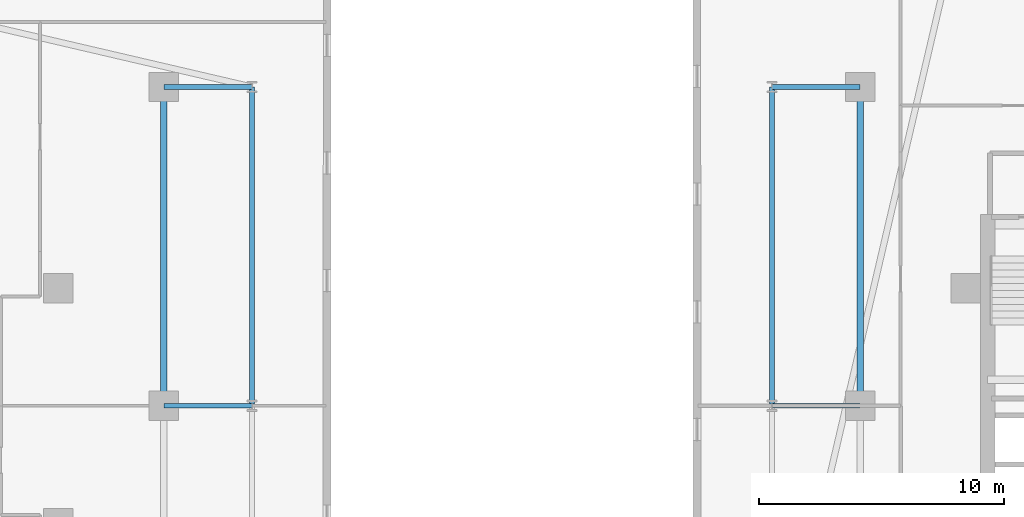
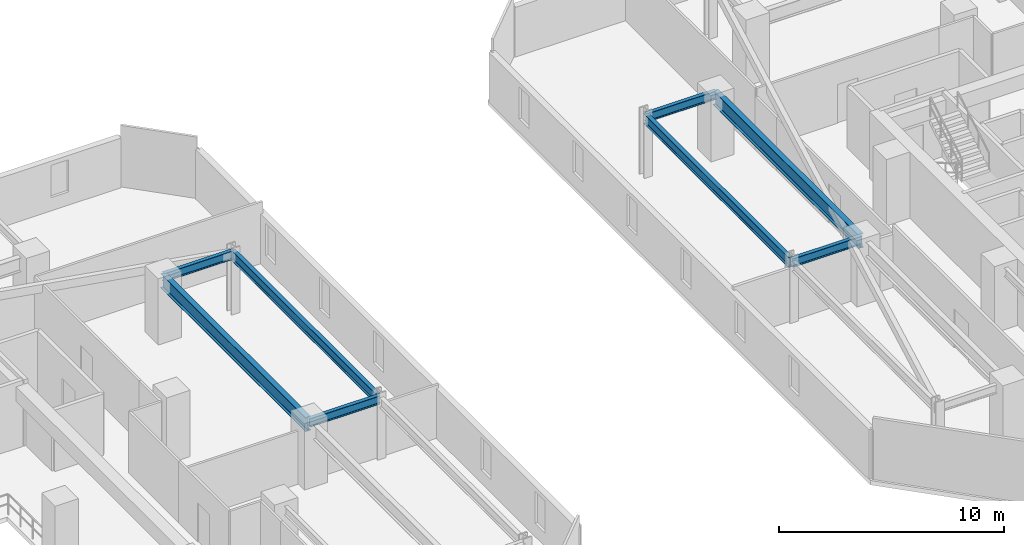
# One storey, part 7 of 29: 8 beams.
"""IFC4 building model written with IfcOpenShell, lengths in metres."""

from ifc_helpers import new_model, si_unit, direction, frame, origin, origin_2d, place, context, subcontext, project, spatial, i_section, extrude, material, material_profile, profile_set, type_object, element, save


model = new_model("IFC4")

# Units and contexts
model_context = context("Model", 3, precision=1e-05, world=origin(), true_north=direction((0.0, 1.0)))
body_context = subcontext(model_context, "Body", "Model", "MODEL_VIEW")
ifc_project = project(units=[si_unit("LENGTHUNIT", "METRE"), si_unit("AREAUNIT", "SQUARE_METRE"), si_unit("VOLUMEUNIT", "CUBIC_METRE"), si_unit("PLANEANGLEUNIT", "RADIAN"), si_unit("MASSUNIT", "GRAM", prefix="KILO")], contexts=[model_context])

# Site, building, storey
site_placement = place(None, origin())
site = spatial("IfcSite", under=ifc_project, at=site_placement, CompositionType="ELEMENT")
building_placement = place(site_placement, origin())
building = spatial("IfcBuilding", under=site, at=building_placement, Name="Thornwick Lancets Civic Towers", CompositionType="ELEMENT")
storey_placement = place(building_placement, frame((0.0, 0.0, 83.699951171875)))
storey = spatial("IfcBuildingStorey", under=building, at=storey_placement, Name="L21", CompositionType="ELEMENT", Elevation=83.699951171875)

# Beams
ifc_material = material(Name="Steel S355JR", Category="steel")
ifc_material_profile_1 = material_profile(ifc_material, i_section(OverallWidth=0.2119140625, OverallDepth=0.54443359375, WebThickness=0.0126953125, FlangeThickness=0.021240234375, FilletRadius=0.0126953125, at=origin_2d()), Name="UKB 533x210x122")
ifc_profile_set_1 = profile_set([ifc_material_profile_1], Name="Steel S355JR")
beam_type_1 = type_object("IfcBeamType", Name="BM_EDGE_533_122", PredefinedType="SPANDREL", material=ifc_profile_set_1)
for number, where, z_axis, x_axis, name in (
    (1, (46.39990234375, 27.080078125, 3.087890625), (0.0, 1.0, 0.0), (-1.0, 0.0, 0.0), "BM-EDGE-L21-A-S1-2"),
    (2, (67.60009765625, 27.080078125, 3.087890625), (0.0, 1.0, 0.0), (-1.0, 0.0, 0.0), "BM-EDGE-L21-B-S2-2"),
):
    element("IfcBeam", number, at=place(storey_placement, frame(where, z_axis=z_axis, x_axis=x_axis)), inside=storey, type_object=beam_type_1, Name=name, PredefinedType="SPANDREL", context=body_context, shape_type="SweptSolid", body=[
        extrude(i_section(OverallWidth=0.2119140625, OverallDepth=0.54443359375, WebThickness=0.0126953125, FlangeThickness=0.021240234375, FilletRadius=0.0126953125, at=origin_2d()), origin(), (0.0, 0.0, 1.0), 12.919921875),
    ])
ifc_material_profile_2 = material_profile(ifc_material, i_section(OverallWidth=0.26806640625, OverallDepth=0.769775390625, WebThickness=0.015625, FlangeThickness=0.025390625, FilletRadius=0.0166015625, at=origin_2d()), Name="UKB 762x267x197")
ifc_profile_set_2 = profile_set([ifc_material_profile_2], Name="Steel S355JR")
beam_type_2 = type_object("IfcBeamType", Name="BM_GIRD_762_197", PredefinedType="BEAM", material=ifc_profile_set_2)
for number, where, z_axis, x_axis, name in (
    (3, (42.800048828125, 27.080078125, 2.97509765625), (0.0, 1.0, 0.0), (-1.0, 0.0, 0.0), "BM-SPINE-L21-A-4-5"),
    (4, (71.199951171875, 27.080078125, 2.97509765625), (0.0, 1.0, 0.0), (-1.0, 0.0, 0.0), "BM-SPINE-L21-B-7-8"),
):
    element("IfcBeam", number, at=place(storey_placement, frame(where, z_axis=z_axis, x_axis=x_axis)), inside=storey, type_object=beam_type_2, Name=name, PredefinedType="BEAM", context=body_context, shape_type="SweptSolid", body=[
        extrude(i_section(OverallWidth=0.26806640625, OverallDepth=0.769775390625, WebThickness=0.015625, FlangeThickness=0.025390625, FilletRadius=0.0166015625, at=origin_2d()), origin(), (0.0, 0.0, 1.0), 12.919921875),
    ])
ifc_material_profile_3 = material_profile(ifc_material, i_section(OverallWidth=0.19189453125, OverallDepth=0.46337890625, WebThickness=0.010498046875, FlangeThickness=0.017578125, FilletRadius=0.01025390625, at=origin_2d()), Name="UKB 457x191x89")
ifc_profile_set_3 = profile_set([ifc_material_profile_3], Name="Steel S355JR")
beam_type_3 = type_object("IfcBeamType", Name="BM_JOIST_457_89", PredefinedType="JOIST", material=ifc_profile_set_3)
for number, where, z_axis, x_axis, name in (
    (5, (42.800048828125, 27.0, 3.12841796875), (1.0, 0.0, 0.0), (0.0, 1.0, 0.0), "BM-RAD-L21-A05"),
    (6, (42.800048828125, 40.0, 3.12841796875), (1.0, 0.0, 0.0), (0.0, 1.0, 0.0), "BM-RAD-L21-A06"),
    (7, (71.199951171875, 27.0, 3.12841796875), (-1.0, 0.0, 0.0), (0.0, -1.0, 0.0), "BM-RAD-L21-B08"),
    (8, (71.199951171875, 40.0, 3.12841796875), (-1.0, 0.0, 0.0), (0.0, -1.0, 0.0), "BM-RAD-L21-B09"),
):
    element("IfcBeam", number, at=place(storey_placement, frame(where, z_axis=z_axis, x_axis=x_axis)), inside=storey, type_object=beam_type_3, Name=name, PredefinedType="JOIST", context=body_context, shape_type="SweptSolid", body=[
        extrude(i_section(OverallWidth=0.19189453125, OverallDepth=0.46337890625, WebThickness=0.010498046875, FlangeThickness=0.017578125, FilletRadius=0.01025390625, at=origin_2d()), origin(), (0.0, 0.0, 1.0), 3.599853515625),
    ])

save(model, "model.ifc")
